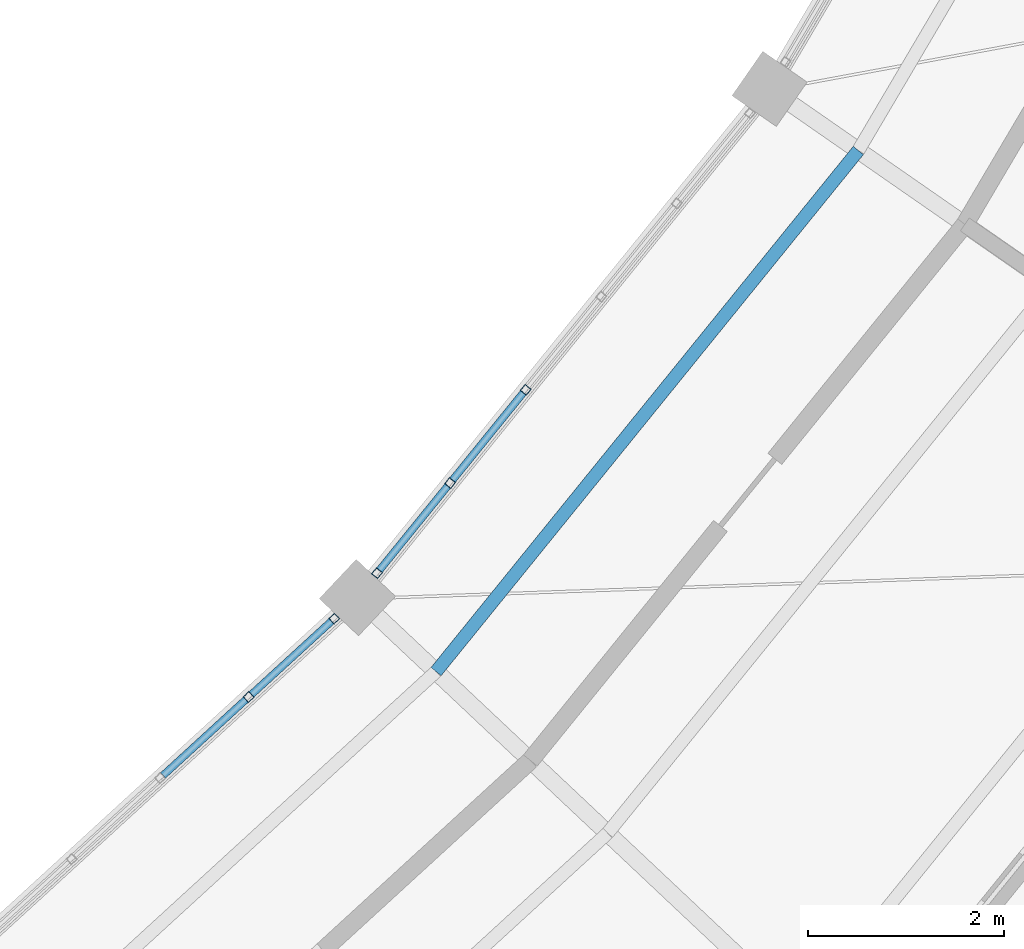
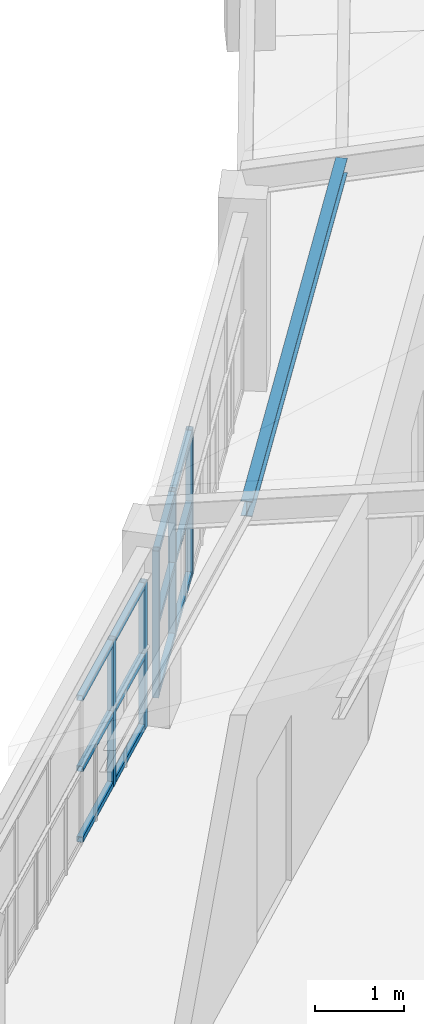
# One storey, part 51 of 149: 18 members, 2 elements without a shape of their own.
"""IFC4 building model written with IfcOpenShell, lengths in metres."""

from ifc_helpers import new_model, si_unit, direction, frame, origin, origin_2d, place, context, subcontext, project, spatial, hollow_rectangle, i_section, extrude, material, material_profile, profile_set, type_object, element, aggregate, save


model = new_model("IFC4")

# Units and contexts
model_context = context("Model", 3, precision=1e-05, world=origin(), true_north=direction((0.0, 1.0)))
body_context = subcontext(model_context, "Body", "Model", "MODEL_VIEW")
ifc_project = project(units=[si_unit("LENGTHUNIT", "METRE"), si_unit("AREAUNIT", "SQUARE_METRE"), si_unit("VOLUMEUNIT", "CUBIC_METRE"), si_unit("PLANEANGLEUNIT", "RADIAN"), si_unit("MASSUNIT", "GRAM", prefix="KILO")], contexts=[model_context])

# Site, building, storey
site_placement = place(None, origin())
site = spatial("IfcSite", under=ifc_project, at=site_placement, CompositionType="ELEMENT")
building_placement = place(site_placement, origin())
building = spatial("IfcBuilding", under=site, at=building_placement, Name="Celadon Cloister-Ring School", CompositionType="ELEMENT")
storey_placement = place(building_placement, frame((0.0, 0.0, 12.5)))
storey = spatial("IfcBuildingStorey", under=building, at=storey_placement, Name="L03", CompositionType="ELEMENT", Elevation=12.5)

# Curtain wall, members
ifc_material_1 = material(Name="Aluminium EN AW-6063 T6", Category="aluminium")
curtain_wall_type = type_object("IfcCurtainWallType", Name="CW-02", PredefinedType="USERDEFINED", material=ifc_material_1)
curtain_wall_1_placement = place(storey_placement, origin())
curtain_wall_1 = element("IfcCurtainWall", 1, at=curtain_wall_1_placement, inside=storey, type_object=curtain_wall_type, Name="Curtain Wall 0066", ObjectType="CURTAIN WALL", PredefinedType="USERDEFINED")
ifc_material_2 = material(Name="Aluminium EN AW-6063 T6", Category="aluminium")
ifc_material_profile_1 = material_profile(ifc_material_2, hollow_rectangle(XDim=0.080078125, YDim=0.080078125, WallThickness=0.00390625, at=origin_2d()), Name="RHS80X80X4")
ifc_profile_set_1 = profile_set([ifc_material_profile_1], Name="Aluminium EN AW-6063 T6")
member_type_1 = type_object("IfcMemberType", Name="CM-03", PredefinedType="MULLION", material=ifc_profile_set_1)
member_1_placement = place(storey_placement, frame((118.657958984375, 27.140869140625, 0.0), z_axis=(0.0, 0.0, 1.0), x_axis=(-0.675405823267, 0.737446251531, 0.0)))
member_1 = element("IfcMember", 2, at=member_1_placement, type_object=member_type_1, Name="CW-02 mullion 5", PredefinedType="MULLION", context=body_context, shape_type="SweptSolid", body=[
    extrude(hollow_rectangle(XDim=0.080078125, YDim=0.080078125, WallThickness=0.00390625, at=origin_2d()), origin(), (0.0, 0.0, 1.0), 2.02001953125),
])
member_2_placement = place(storey_placement, frame((119.529541015625, 27.93896484375, 0.0), z_axis=(0.0, 0.0, 1.0), x_axis=(-0.675405823267, 0.737446251531, 0.0)))
member_2 = element("IfcMember", 3, at=member_2_placement, type_object=member_type_1, Name="CW-02 mullion 6", PredefinedType="MULLION", context=body_context, shape_type="SweptSolid", body=[
    extrude(hollow_rectangle(XDim=0.080078125, YDim=0.080078125, WallThickness=0.00390625, at=origin_2d()), origin(), (0.0, 0.0, 1.0), 2.02001953125),
])

curtain_wall_2_placement = place(storey_placement, origin())
curtain_wall_2 = element("IfcCurtainWall", 4, at=curtain_wall_2_placement, inside=storey, type_object=curtain_wall_type, Name="Curtain Wall 0067", ObjectType="CURTAIN WALL", PredefinedType="USERDEFINED")
member_3_placement = place(storey_placement, frame((119.965087890625, 28.402099609375, 0.0), z_axis=(0.0, 0.0, 1.0), x_axis=(-0.776779557155, 0.62977259355, 0.0)))
member_3 = element("IfcMember", 5, at=member_3_placement, type_object=member_type_1, Name="CW-02 mullion 1", PredefinedType="MULLION", context=body_context, shape_type="SweptSolid", body=[
    extrude(hollow_rectangle(XDim=0.080078125, YDim=0.080078125, WallThickness=0.00390625, at=origin_2d()), origin(), (0.0, 0.0, 1.0), 2.02001953125),
])
member_4_placement = place(storey_placement, frame((120.70947265625, 29.320068359375, 0.0), z_axis=(0.0, 0.0, 1.0), x_axis=(-0.776779557155, 0.62977259355, 0.0)))
member_4 = element("IfcMember", 6, at=member_4_placement, type_object=member_type_1, Name="CW-02 mullion 2", PredefinedType="MULLION", context=body_context, shape_type="SweptSolid", body=[
    extrude(hollow_rectangle(XDim=0.080078125, YDim=0.080078125, WallThickness=0.00390625, at=origin_2d()), origin(), (0.0, 0.0, 1.0), 2.02001953125),
])
member_5_placement = place(storey_placement, frame((121.478759765625, 30.26904296875, 0.0), z_axis=(0.0, 0.0, 1.0), x_axis=(-0.776779557155, 0.62977259355, 0.0)))
member_5 = element("IfcMember", 7, at=member_5_placement, type_object=member_type_1, Name="CW-02 mullion 3", PredefinedType="MULLION", context=body_context, shape_type="SweptSolid", body=[
    extrude(hollow_rectangle(XDim=0.080078125, YDim=0.080078125, WallThickness=0.00390625, at=origin_2d()), origin(), (0.0, 0.0, 1.0), 2.02001953125),
])

# Member
ifc_material_3 = material(Name="Aluminium EN AW-6063 T6", Category="aluminium")
ifc_material_profile_2 = material_profile(ifc_material_3, hollow_rectangle(XDim=0.074951171875, YDim=0.074951171875, WallThickness=0.00390625, at=origin_2d()), Name="RHS75X75X4")
ifc_profile_set_2 = profile_set([ifc_material_profile_2], Name="Aluminium EN AW-6063 T6")
member_type_2 = type_object("IfcMemberType", Name="CTM-03", PredefinedType="USERDEFINED", material=ifc_profile_set_2)
member_6_placement = place(storey_placement, frame((117.786376953125, 26.342529296875, 0.03759765625), z_axis=(0.737429207639, 0.67542443228, 0.0), x_axis=(-0.67542443228, 0.737429207639, 0.0)))
member_6 = element("IfcMember", 8, at=member_6_placement, type_object=member_type_2, Name="CW-02 transom 4.1", ObjectType="TRANSOM", PredefinedType="USERDEFINED", context=body_context, shape_type="SweptSolid", body=[
    extrude(hollow_rectangle(XDim=0.074951171875, YDim=0.074951171875, WallThickness=0.00390625, at=origin_2d()), origin(), (0.0, 0.0, 1.0), 1.141845703125),
])

member_7_placement = place(storey_placement, frame((117.786376953125, 26.342529296875, 1.010009765625), z_axis=(0.737429207639, 0.67542443228, 0.0), x_axis=(-0.67542443228, 0.737429207639, 0.0)))
member_7 = element("IfcMember", 9, at=member_7_placement, type_object=member_type_2, Name="CW-02 transom 4.2", ObjectType="TRANSOM", PredefinedType="USERDEFINED", context=body_context, shape_type="SweptSolid", body=[
    extrude(hollow_rectangle(XDim=0.074951171875, YDim=0.074951171875, WallThickness=0.00390625, at=origin_2d()), origin(), (0.0, 0.0, 1.0), 1.141845703125),
])

member_8_placement = place(storey_placement, frame((117.786376953125, 26.342529296875, 1.982421875), z_axis=(0.737429207639, 0.67542443228, 0.0), x_axis=(-0.67542443228, 0.737429207639, 0.0)))
member_8 = element("IfcMember", 10, at=member_8_placement, type_object=member_type_2, Name="CW-02 transom 4.3", ObjectType="TRANSOM", PredefinedType="USERDEFINED", context=body_context, shape_type="SweptSolid", body=[
    extrude(hollow_rectangle(XDim=0.074951171875, YDim=0.074951171875, WallThickness=0.00390625, at=origin_2d()), origin(), (0.0, 0.0, 1.0), 1.141845703125),
])

member_9_placement = place(storey_placement, frame((118.6875, 27.167724609375, 0.03759765625), z_axis=(0.737448407441, 0.675403469315, 0.0), x_axis=(-0.675403469315, 0.737448407441, 0.0)))
member_9 = element("IfcMember", 11, at=member_9_placement, type_object=member_type_2, Name="CW-02 transom 5.1", ObjectType="TRANSOM", PredefinedType="USERDEFINED", context=body_context, shape_type="SweptSolid", body=[
    extrude(hollow_rectangle(XDim=0.074951171875, YDim=0.074951171875, WallThickness=0.00390625, at=origin_2d()), origin(), (0.0, 0.0, 1.0), 1.101806640625),
])

member_10_placement = place(storey_placement, frame((118.6875, 27.167724609375, 1.010009765625), z_axis=(0.737448407441, 0.675403469315, 0.0), x_axis=(-0.675403469315, 0.737448407441, 0.0)))
member_10 = element("IfcMember", 12, at=member_10_placement, type_object=member_type_2, Name="CW-02 transom 5.2", ObjectType="TRANSOM", PredefinedType="USERDEFINED", context=body_context, shape_type="SweptSolid", body=[
    extrude(hollow_rectangle(XDim=0.074951171875, YDim=0.074951171875, WallThickness=0.00390625, at=origin_2d()), origin(), (0.0, 0.0, 1.0), 1.101806640625),
])

member_11_placement = place(storey_placement, frame((118.6875, 27.167724609375, 1.982421875), z_axis=(0.737448407441, 0.675403469315, 0.0), x_axis=(-0.675403469315, 0.737448407441, 0.0)))
member_11 = element("IfcMember", 13, at=member_11_placement, type_object=member_type_2, Name="CW-02 transom 5.3", ObjectType="TRANSOM", PredefinedType="USERDEFINED", context=body_context, shape_type="SweptSolid", body=[
    extrude(hollow_rectangle(XDim=0.074951171875, YDim=0.074951171875, WallThickness=0.00390625, at=origin_2d()), origin(), (0.0, 0.0, 1.0), 1.101806640625),
])

aggregate(curtain_wall_1, [member_1, member_2, member_6, member_7, member_8, member_9, member_10, member_11])

member_12_placement = place(storey_placement, frame((119.990478515625, 28.43310546875, 0.03759765625), z_axis=(0.62981641328, 0.776744028341, 0.0), x_axis=(-0.776744028341, 0.62981641328, 0.0)))
member_12 = element("IfcMember", 14, at=member_12_placement, type_object=member_type_2, Name="CW-02 transom 1.1", ObjectType="TRANSOM", PredefinedType="USERDEFINED", context=body_context, shape_type="SweptSolid", body=[
    extrude(hollow_rectangle(XDim=0.074951171875, YDim=0.074951171875, WallThickness=0.00390625, at=origin_2d()), origin(), (0.0, 0.0, 1.0), 1.1015625),
])

member_13_placement = place(storey_placement, frame((119.990478515625, 28.43310546875, 1.010009765625), z_axis=(0.62981641328, 0.776744028341, 0.0), x_axis=(-0.776744028341, 0.62981641328, 0.0)))
member_13 = element("IfcMember", 15, at=member_13_placement, type_object=member_type_2, Name="CW-02 transom 1.2", ObjectType="TRANSOM", PredefinedType="USERDEFINED", context=body_context, shape_type="SweptSolid", body=[
    extrude(hollow_rectangle(XDim=0.074951171875, YDim=0.074951171875, WallThickness=0.00390625, at=origin_2d()), origin(), (0.0, 0.0, 1.0), 1.1015625),
])

member_14_placement = place(storey_placement, frame((119.990478515625, 28.43310546875, 1.982421875), z_axis=(0.62981641328, 0.776744028341, 0.0), x_axis=(-0.776744028341, 0.62981641328, 0.0)))
member_14 = element("IfcMember", 16, at=member_14_placement, type_object=member_type_2, Name="CW-02 transom 1.3", ObjectType="TRANSOM", PredefinedType="USERDEFINED", context=body_context, shape_type="SweptSolid", body=[
    extrude(hollow_rectangle(XDim=0.074951171875, YDim=0.074951171875, WallThickness=0.00390625, at=origin_2d()), origin(), (0.0, 0.0, 1.0), 1.1015625),
])

member_15_placement = place(storey_placement, frame((120.734619140625, 29.35107421875, 0.03759765625), z_axis=(0.6297147847, 0.776826422008, 0.0), x_axis=(-0.776826422008, 0.6297147847, 0.0)))
member_15 = element("IfcMember", 17, at=member_15_placement, type_object=member_type_2, Name="CW-02 transom 2.1", ObjectType="TRANSOM", PredefinedType="USERDEFINED", context=body_context, shape_type="SweptSolid", body=[
    extrude(hollow_rectangle(XDim=0.074951171875, YDim=0.074951171875, WallThickness=0.00390625, at=origin_2d()), origin(), (0.0, 0.0, 1.0), 1.141845703125),
])

member_16_placement = place(storey_placement, frame((120.734619140625, 29.35107421875, 1.010009765625), z_axis=(0.6297147847, 0.776826422008, 0.0), x_axis=(-0.776826422008, 0.6297147847, 0.0)))
member_16 = element("IfcMember", 18, at=member_16_placement, type_object=member_type_2, Name="CW-02 transom 2.2", ObjectType="TRANSOM", PredefinedType="USERDEFINED", context=body_context, shape_type="SweptSolid", body=[
    extrude(hollow_rectangle(XDim=0.074951171875, YDim=0.074951171875, WallThickness=0.00390625, at=origin_2d()), origin(), (0.0, 0.0, 1.0), 1.141845703125),
])

member_17_placement = place(storey_placement, frame((120.734619140625, 29.35107421875, 1.982421875), z_axis=(0.6297147847, 0.776826422008, 0.0), x_axis=(-0.776826422008, 0.6297147847, 0.0)))
member_17 = element("IfcMember", 19, at=member_17_placement, type_object=member_type_2, Name="CW-02 transom 2.3", ObjectType="TRANSOM", PredefinedType="USERDEFINED", context=body_context, shape_type="SweptSolid", body=[
    extrude(hollow_rectangle(XDim=0.074951171875, YDim=0.074951171875, WallThickness=0.00390625, at=origin_2d()), origin(), (0.0, 0.0, 1.0), 1.141845703125),
])

aggregate(curtain_wall_2, [member_3, member_4, member_5, member_12, member_13, member_14, member_15, member_16, member_17])

ifc_material_4 = material(Name="Structural steel S355JR", Category="steel")
ifc_material_profile_3 = material_profile(ifc_material_4, i_section(OverallWidth=0.133056640625, OverallDepth=0.20703125, WebThickness=0.005859375, FlangeThickness=0.00830078125, at=origin_2d()), Name="W200X27")
ifc_profile_set_3 = profile_set([ifc_material_profile_3], Name="Structural steel S355JR")
member_type_3 = type_object("IfcMemberType", Name="MP-04", PredefinedType="PURLIN", material=ifc_profile_set_3)
member_18_placement = place(storey_placement, frame((120.56591796875, 27.39990234375, 2.970947265625), z_axis=(0.629604331508, 0.776915945097, 0.0), x_axis=(-0.776915945097, 0.629604331508, 0.0)))
element("IfcMember", 20, at=member_18_placement, inside=storey, type_object=member_type_3, Name="Structural Member 0195", PredefinedType="PURLIN", context=body_context, shape_type="SweptSolid", body=[
    extrude(i_section(OverallWidth=0.133056640625, OverallDepth=0.20703125, WebThickness=0.005859375, FlangeThickness=0.00830078125, at=origin_2d()), origin(), (0.0, 0.0, 1.0), 6.829833984375),
])

save(model, "model.ifc")
